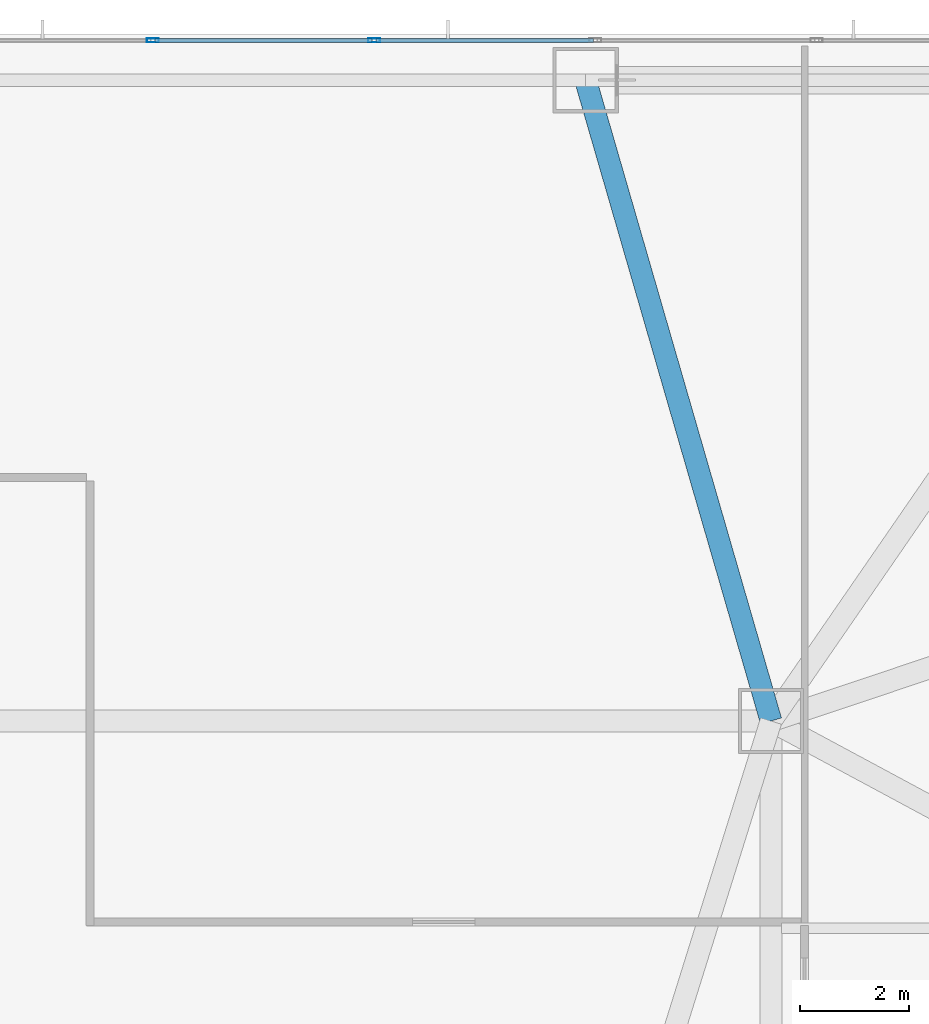
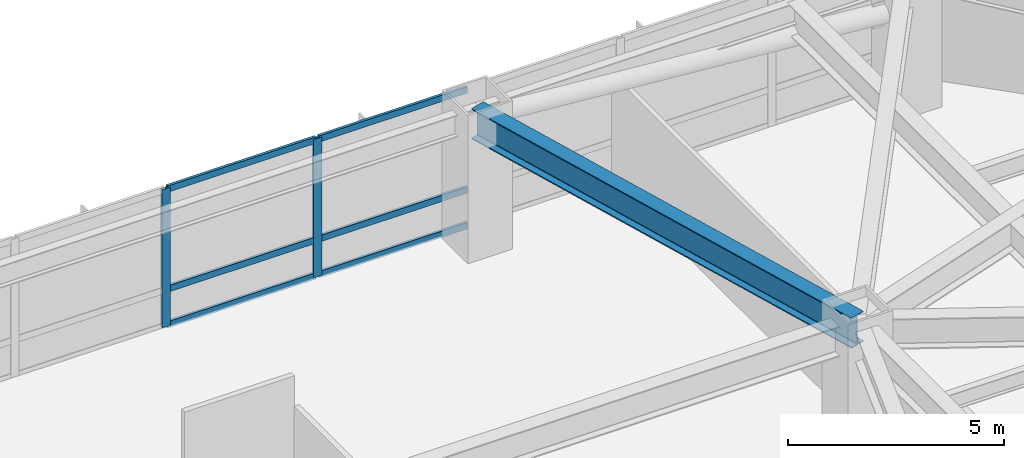
# One storey, part 6 of 25: 8 members, 1 beam, 1 element without a shape of its own.
"""IFC4 building model written with IfcOpenShell, lengths in metres."""

from ifc_helpers import new_model, si_unit, direction, frame, origin, origin_2d, place, context, subcontext, project, spatial, hollow_rectangle, i_section, extrude, material, material_profile, profile_set, type_object, element, aggregate, save


model = new_model("IFC4")

# Units and contexts
model_context = context("Model", 3, precision=1e-05, world=origin(), true_north=direction((0.0, 1.0)))
body_context = subcontext(model_context, "Body", "Model", "MODEL_VIEW")
ifc_project = project(units=[si_unit("LENGTHUNIT", "METRE"), si_unit("AREAUNIT", "SQUARE_METRE"), si_unit("VOLUMEUNIT", "CUBIC_METRE"), si_unit("PLANEANGLEUNIT", "RADIAN"), si_unit("MASSUNIT", "GRAM", prefix="KILO")], contexts=[model_context])

# Site, building, storey
site_placement = place(None, origin())
site = spatial("IfcSite", under=ifc_project, at=site_placement, CompositionType="ELEMENT")
building_placement = place(site_placement, origin())
building = spatial("IfcBuilding", under=site, at=building_placement, Name="Khamvora Tower", CompositionType="ELEMENT")
storey_placement = place(building_placement, frame((0.0, 0.0, 16.199951171875)))
storey = spatial("IfcBuildingStorey", under=building, at=storey_placement, Name="L03", CompositionType="ELEMENT", Elevation=16.199951171875)

# Beam
ifc_material_1 = material(Name="Steel S355", Category="steel")
ifc_material_profile_1 = material_profile(ifc_material_1, i_section(OverallWidth=0.39990234375, OverallDepth=0.85498046875, WebThickness=0.01806640625, FlangeThickness=0.029052734375, FilletRadius=0.01806640625, at=origin_2d()), Name="W840x299")
ifc_profile_set_1 = profile_set([ifc_material_profile_1], Name="Steel S355")
beam_type = type_object("IfcBeamType", Name="BM-PG-W840x299", PredefinedType="BEAM", material=ifc_profile_set_1)
beam_placement = place(storey_placement, frame((41.39990234375, 43.39990234375, 3.4931640625), z_axis=(-0.277951455854, 0.960595121885, 0.0), x_axis=(-0.960595121885, -0.277951455854, 0.0)))
element("IfcBeam", 1, at=beam_placement, inside=storey, type_object=beam_type, Name="L03 primary floor girder P07", PredefinedType="BEAM", context=body_context, shape_type="SweptSolid", body=[
    extrude(i_section(OverallWidth=0.39990234375, OverallDepth=0.85498046875, WebThickness=0.01806640625, FlangeThickness=0.029052734375, FilletRadius=0.01806640625, at=origin_2d()), origin(), (0.0, 0.0, 1.0), 12.23193359375),
])

# Curtain wall, members
ifc_material_2 = material(Name="Anodised Aluminium 6063-T6", Category="aluminium")
curtain_wall_type = type_object("IfcCurtainWallType", Name="CW-SYS-01", PredefinedType="NOTDEFINED", material=ifc_material_2)
curtain_wall_placement = place(storey_placement, origin())
curtain_wall = element("IfcCurtainWall", 2, at=curtain_wall_placement, inside=storey, type_object=curtain_wall_type, Name="L03 stick curtain wall 07.1", PredefinedType="NOTDEFINED")
ifc_material_profile_2 = material_profile(ifc_material_2, hollow_rectangle(XDim=0.074951171875, YDim=0.219970703125, WallThickness=0.0048828125, at=origin_2d()), Name="MUL75x220x5")
ifc_profile_set_2 = profile_set([ifc_material_profile_2], Name="Anodised Aluminium 6063-T6")
member_type_1 = type_object("IfcMemberType", Name="CW-SYS-01-MUL", PredefinedType="MULLION", material=ifc_profile_set_2)
member_1_placement = place(storey_placement, frame((30.06689453125, 55.8798828125, 0.0), z_axis=(0.0, 0.0, 1.0), x_axis=(0.0, 1.0, 0.0)))
member_1 = element("IfcMember", 3, at=member_1_placement, type_object=member_type_1, Name="CW-01 mullion 7", PredefinedType="MULLION", context=body_context, shape_type="SweptSolid", body=[
    extrude(hollow_rectangle(XDim=0.074951171875, YDim=0.219970703125, WallThickness=0.0048828125, at=origin_2d()), origin(), (0.0, 0.0, 1.0), 3.920166015625),
])
member_2_placement = place(storey_placement, frame((34.12353515625, 55.8798828125, 0.0), z_axis=(0.0, 0.0, 1.0), x_axis=(0.0, 1.0, 0.0)))
member_2 = element("IfcMember", 4, at=member_2_placement, type_object=member_type_1, Name="CW-01 mullion 8", PredefinedType="MULLION", context=body_context, shape_type="SweptSolid", body=[
    extrude(hollow_rectangle(XDim=0.074951171875, YDim=0.219970703125, WallThickness=0.0048828125, at=origin_2d()), origin(), (0.0, 0.0, 1.0), 3.920166015625),
])
ifc_material_profile_3 = material_profile(ifc_material_2, hollow_rectangle(XDim=0.074951171875, YDim=0.179931640625, WallThickness=0.0048828125, at=origin_2d()), Name="TRN75x180x5")
ifc_profile_set_3 = profile_set([ifc_material_profile_3], Name="Anodised Aluminium 6063-T6")
member_type_2 = type_object("IfcMemberType", Name="CW-SYS-01-TRN", PredefinedType="USERDEFINED", material=ifc_profile_set_3)
member_3_placement = place(storey_placement, frame((30.104248046875, 55.8798828125, 0.03759765625), z_axis=(1.0, 0.0, 0.0), x_axis=(0.0, 1.0, 0.0)))
member_3 = element("IfcMember", 5, at=member_3_placement, type_object=member_type_2, Name="CW-01 transom 7.1", ObjectType="TRANSOM", PredefinedType="USERDEFINED", context=body_context, shape_type="SweptSolid", body=[
    extrude(hollow_rectangle(XDim=0.074951171875, YDim=0.179931640625, WallThickness=0.0048828125, at=origin_2d()), origin(), (0.0, 0.0, 1.0), 3.981689453125),
])
member_4_placement = place(storey_placement, frame((30.104248046875, 55.8798828125, 1.050048828125), z_axis=(1.0, 0.0, 0.0), x_axis=(0.0, 1.0, 0.0)))
member_4 = element("IfcMember", 6, at=member_4_placement, type_object=member_type_2, Name="CW-01 transom 7.2", ObjectType="TRANSOM", PredefinedType="USERDEFINED", context=body_context, shape_type="SweptSolid", body=[
    extrude(hollow_rectangle(XDim=0.074951171875, YDim=0.179931640625, WallThickness=0.0048828125, at=origin_2d()), origin(), (0.0, 0.0, 1.0), 3.981689453125),
])
member_5_placement = place(storey_placement, frame((30.104248046875, 55.8798828125, 3.882568359375), z_axis=(1.0, 0.0, 0.0), x_axis=(0.0, 1.0, 0.0)))
member_5 = element("IfcMember", 7, at=member_5_placement, type_object=member_type_2, Name="CW-01 transom 7.3", ObjectType="TRANSOM", PredefinedType="USERDEFINED", context=body_context, shape_type="SweptSolid", body=[
    extrude(hollow_rectangle(XDim=0.074951171875, YDim=0.179931640625, WallThickness=0.0048828125, at=origin_2d()), origin(), (0.0, 0.0, 1.0), 3.981689453125),
])
member_6_placement = place(storey_placement, frame((34.160888671875, 55.8798828125, 0.03759765625), z_axis=(1.0, 0.0, 0.0), x_axis=(0.0, 1.0, 0.0)))
member_6 = element("IfcMember", 8, at=member_6_placement, type_object=member_type_2, Name="CW-01 transom 8.1", ObjectType="TRANSOM", PredefinedType="USERDEFINED", context=body_context, shape_type="SweptSolid", body=[
    extrude(hollow_rectangle(XDim=0.074951171875, YDim=0.179931640625, WallThickness=0.0048828125, at=origin_2d()), origin(), (0.0, 0.0, 1.0), 3.981689453125),
])
member_7_placement = place(storey_placement, frame((34.160888671875, 55.8798828125, 1.050048828125), z_axis=(1.0, 0.0, 0.0), x_axis=(0.0, 1.0, 0.0)))
member_7 = element("IfcMember", 9, at=member_7_placement, type_object=member_type_2, Name="CW-01 transom 8.2", ObjectType="TRANSOM", PredefinedType="USERDEFINED", context=body_context, shape_type="SweptSolid", body=[
    extrude(hollow_rectangle(XDim=0.074951171875, YDim=0.179931640625, WallThickness=0.0048828125, at=origin_2d()), origin(), (0.0, 0.0, 1.0), 3.981689453125),
])
member_8_placement = place(storey_placement, frame((34.160888671875, 55.8798828125, 3.882568359375), z_axis=(1.0, 0.0, 0.0), x_axis=(0.0, 1.0, 0.0)))
member_8 = element("IfcMember", 10, at=member_8_placement, type_object=member_type_2, Name="CW-01 transom 8.3", ObjectType="TRANSOM", PredefinedType="USERDEFINED", context=body_context, shape_type="SweptSolid", body=[
    extrude(hollow_rectangle(XDim=0.074951171875, YDim=0.179931640625, WallThickness=0.0048828125, at=origin_2d()), origin(), (0.0, 0.0, 1.0), 3.981689453125),
])
aggregate(curtain_wall, [member_1, member_2, member_3, member_4, member_5, member_6, member_7, member_8])

save(model, "model.ifc")
